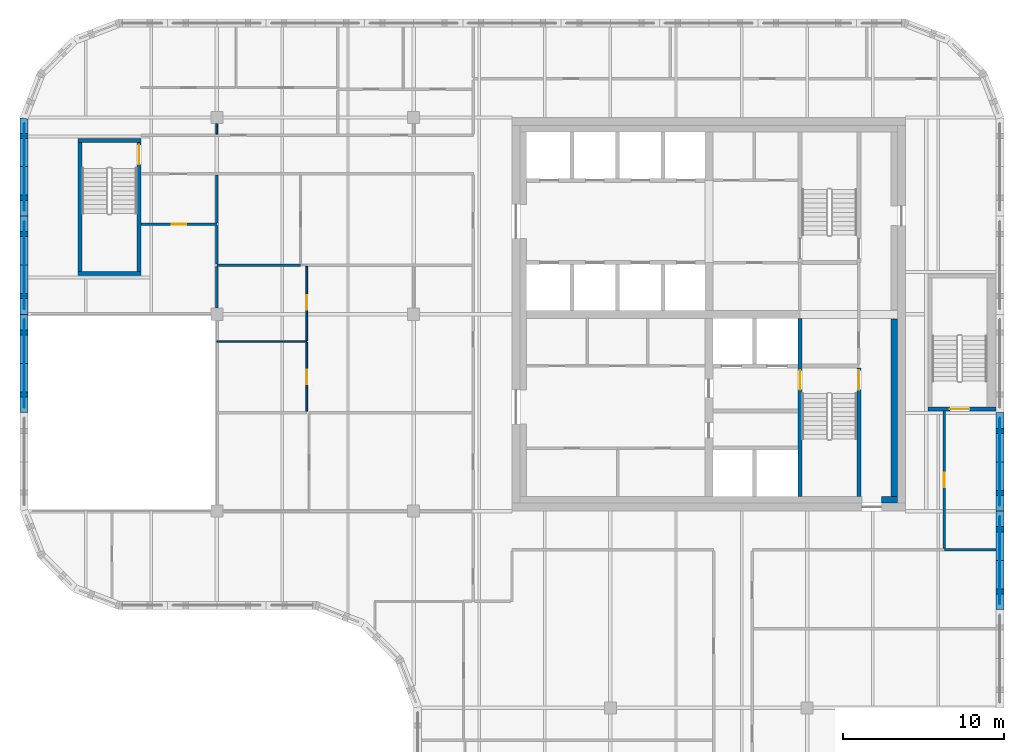
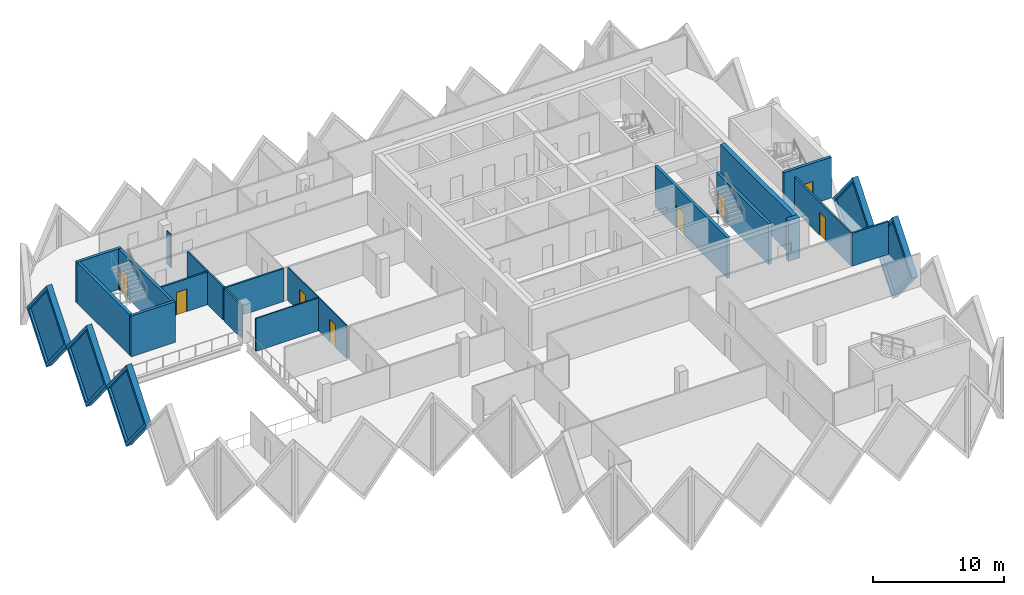
# One storey, part 6 of 12: 25 walls, 8 doors, 5 plates, 13 openings.
"""IFC4 building model written with IfcOpenShell, lengths in metres."""

from ifc_helpers import new_model, si_unit, direction, frame, frame_2d, origin, place, context, subcontext, project, spatial, polyline, rectangle, outline, extrude, faceted_brep, source, transform, mapped, material, layer, layer_set, type_object, element, fill, save


model = new_model("IFC4")

# Units and contexts
model_context = context("Model", 3, precision=1e-05, world=origin(), true_north=direction((0.0, 1.0)))
body_context = subcontext(model_context, "Body", "Model", "MODEL_VIEW")
ifc_project = project(units=[si_unit("LENGTHUNIT", "METRE"), si_unit("AREAUNIT", "SQUARE_METRE"), si_unit("VOLUMEUNIT", "CUBIC_METRE"), si_unit("PLANEANGLEUNIT", "RADIAN"), si_unit("MASSUNIT", "GRAM", prefix="KILO")], contexts=[model_context])

# Site, building, storey
site_placement = place(None, origin())
site = spatial("IfcSite", under=ifc_project, at=site_placement, CompositionType="ELEMENT")
building_placement = place(site_placement, origin())
building = spatial("IfcBuilding", under=site, at=building_placement, Name="Tessera Gate Towers", CompositionType="ELEMENT")
storey_placement = place(building_placement, frame((0.0, 0.0, 220.699951171875)))
storey = spatial("IfcBuildingStorey", under=building, at=storey_placement, Name="L55", CompositionType="ELEMENT", Elevation=220.699951171875)

# Wall, opening, door
ifc_material_1 = material(Name="Concrete C40/50", Category="concrete")
ifc_layer_1 = layer(ifc_material_1, 0.25)
ifc_layer_set_1 = layer_set([ifc_layer_1], Name="CORE ENCLOSURE WALL 250")
wall_type_1 = type_object("IfcWallType", Name="CORE ENCLOSURE WALL 250", PredefinedType="SOLIDWALL", material=ifc_layer_set_1)
wall_1_placement = place(storey_placement, frame((48.35009765625, 36.35009765625, 0.0), z_axis=(0.0, 0.0, 1.0), x_axis=(0.0, -1.0, 0.0)))
wall_1 = element("IfcWall", 1, at=wall_1_placement, inside=storey, type_object=wall_type_1, Name="L55 shaft and stair enclosure wall", PredefinedType="SOLIDWALL", context=body_context, shape_type="SweptSolid", body=[
    extrude(rectangle(XDim=11.050048828125, YDim=0.25, at=frame_2d((5.52490234375, 0.0))), origin(), (0.0, 0.0, 1.0), 3.800048828125),
])
shared_shape_1 = source(origin(), body_context, "Body", "SweptSolid", [
    extrude(rectangle(XDim=1.199951171875, YDim=2.10009765625, at=frame_2d((0.60009765625, 1.050048828125))), frame((0.0, 0.135009765625, 0.0), z_axis=(0.0, -1.0, 0.0), x_axis=(1.0, 0.0, 0.0)), (0.0, 0.0, 1.0), 0.27001953125),
])
opening_1_placement = place(wall_1_placement, frame((3.22509765625, 0.0, 0.0)))
opening_1 = element("IfcOpeningElement", 2, at=opening_1_placement, cuts=wall_1, Name="Opening SD-ST1-1", PredefinedType="OPENING", context=body_context, shape_type="MappedRepresentation", body=[
    mapped(shared_shape_1, transform((0.0, 0.0, 0.0), scale=1.0)),
])
ifc_material_2 = material(Name="Hollow steel fire door", Category="steel")
door_type_1 = type_object("IfcDoorType", Name="CORE DOOR SD 1200x2100", OperationType="NOTDEFINED", PredefinedType="DOOR", material=ifc_material_2)
shared_shape_2 = source(origin(), body_context, "Body", "SweptSolid", [
    extrude(rectangle(XDim=1.199951171875, YDim=2.10009765625, at=frame_2d((0.60009765625, 1.050048828125))), frame((0.0, 0.02490234375, 0.0), z_axis=(0.0, -1.0, 0.0), x_axis=(1.0, 0.0, 0.0)), (0.0, 0.0, 1.0), 0.050048828125),
])
door_1_placement = place(opening_1_placement, origin())
door_1 = element("IfcDoor", 3, at=door_1_placement, inside=storey, type_object=door_type_1, Name="Stair door", OperationType="SINGLE_SWING_LEFT", OverallHeight=2.10009765625, OverallWidth=1.199951171875, PredefinedType="DOOR", context=body_context, shape_type="MappedRepresentation", body=[
    mapped(shared_shape_2, transform((0.0, 0.0, 0.0), scale=1.0)),
])
fill(opening_1, door_1)

wall_2_placement = place(storey_placement, frame((52.0, 25.300048828125, 0.0), z_axis=(0.0, 0.0, 1.0), x_axis=(0.0, 1.0, 0.0)))
wall_2 = element("IfcWall", 4, at=wall_2_placement, inside=storey, type_object=wall_type_1, Name="L55 shaft and stair enclosure wall", PredefinedType="SOLIDWALL", context=body_context, shape_type="SweptSolid", body=[
    extrude(rectangle(XDim=7.974853515625, YDim=0.25, at=frame_2d((3.9873046875, 0.0))), origin(), (0.0, 0.0, 1.0), 3.800048828125),
])
opening_2_placement = place(wall_2_placement, frame((6.625, 0.0, 0.0)))
opening_2 = element("IfcOpeningElement", 5, at=opening_2_placement, cuts=wall_2, Name="Opening SD-ST1-2", PredefinedType="OPENING", context=body_context, shape_type="MappedRepresentation", body=[
    mapped(shared_shape_1, transform((0.0, 0.0, 0.0), scale=1.0)),
])
door_2_placement = place(opening_2_placement, origin())
door_2 = element("IfcDoor", 6, at=door_2_placement, inside=storey, type_object=door_type_1, Name="Stair door", OperationType="SINGLE_SWING_RIGHT", OverallHeight=2.10009765625, OverallWidth=1.199951171875, PredefinedType="DOOR", context=body_context, shape_type="MappedRepresentation", body=[
    mapped(shared_shape_2, transform((0.0, 0.0, 0.0), scale=1.0)),
])
fill(opening_2, door_2)

# Walls
wall_3_placement = place(storey_placement, frame((7.5, 39.125, 0.0), z_axis=(0.0, 0.0, 1.0), x_axis=(-1.0, 0.0, 0.0)))
element("IfcWall", 7, at=wall_3_placement, inside=storey, type_object=wall_type_1, Name="L55 ST3 enclosure wall", PredefinedType="SOLIDWALL", context=body_context, shape_type="SweptSolid", body=[
    extrude(rectangle(XDim=3.89990234375, YDim=0.25, at=frame_2d((1.949951171875, 0.0))), origin(), (0.0, 0.0, 1.0), 3.800048828125),
])
wall_4_placement = place(storey_placement, frame((3.72509765625, 39.25, 0.0), z_axis=(0.0, 0.0, 1.0), x_axis=(0.0, 1.0, 0.0)))
element("IfcWall", 8, at=wall_4_placement, inside=storey, type_object=wall_type_1, Name="L55 ST3 enclosure wall", PredefinedType="SOLIDWALL", context=body_context, shape_type="SweptSolid", body=[
    extrude(rectangle(XDim=8.0, YDim=0.25, at=frame_2d((4.0, 0.0))), origin(), (0.0, 0.0, 1.0), 3.800048828125),
])
wall_5_placement = place(storey_placement, frame((3.60009765625, 47.375, 0.0), z_axis=(0.0, 0.0, 1.0), x_axis=(1.0, 0.0, 0.0)))
element("IfcWall", 9, at=wall_5_placement, inside=storey, type_object=wall_type_1, Name="L55 ST3 enclosure wall", PredefinedType="SOLIDWALL", context=body_context, shape_type="SweptSolid", body=[
    extrude(rectangle(XDim=3.89990234375, YDim=0.25, at=frame_2d((1.949951171875, 0.0))), origin(), (0.0, 0.0, 1.0), 3.800048828125),
])

# Wall, opening, door
wall_6_placement = place(storey_placement, frame((7.375, 47.25, 0.0), z_axis=(0.0, 0.0, 1.0), x_axis=(0.0, -1.0, 0.0)))
wall_6 = element("IfcWall", 10, at=wall_6_placement, inside=storey, type_object=wall_type_1, Name="L55 ST3 enclosure wall", PredefinedType="SOLIDWALL", context=body_context, shape_type="SweptSolid", body=[
    extrude(rectangle(XDim=8.0, YDim=0.25, at=frame_2d((4.0, 0.0))), origin(), (0.0, 0.0, 1.0), 3.800048828125),
])
opening_3_placement = place(wall_6_placement, frame((0.14990234375, 0.0, 0.0)))
opening_3 = element("IfcOpeningElement", 11, at=opening_3_placement, cuts=wall_6, Name="Opening SD-ST3-1", PredefinedType="OPENING", context=body_context, shape_type="MappedRepresentation", body=[
    mapped(shared_shape_1, transform((0.0, 0.0, 0.0), scale=1.0)),
])
door_3_placement = place(opening_3_placement, origin())
door_3 = element("IfcDoor", 12, at=door_3_placement, inside=storey, type_object=door_type_1, Name="Stair door", OperationType="SINGLE_SWING_LEFT", OverallHeight=2.10009765625, OverallWidth=1.199951171875, PredefinedType="DOOR", context=body_context, shape_type="MappedRepresentation", body=[
    mapped(shared_shape_2, transform((0.0, 0.0, 0.0), scale=1.0)),
])
fill(opening_3, door_3)

wall_7_placement = place(storey_placement, frame((60.5, 30.72509765625, 0.0), z_axis=(0.0, 0.0, 1.0), x_axis=(-1.0, 0.0, 0.0)))
wall_7 = element("IfcWall", 13, at=wall_7_placement, inside=storey, type_object=wall_type_1, Name="L55 ST5 enclosure wall", PredefinedType="SOLIDWALL", context=body_context, shape_type="SweptSolid", body=[
    extrude(rectangle(XDim=4.199951171875, YDim=0.25, at=frame_2d((2.10009765625, 0.0))), origin(), (0.0, 0.0, 1.0), 3.800048828125),
])
opening_4_placement = place(wall_7_placement, frame((1.64990234375, 0.0, 0.0)))
opening_4 = element("IfcOpeningElement", 14, at=opening_4_placement, cuts=wall_7, Name="Opening SD-ST5-1", PredefinedType="OPENING", context=body_context, shape_type="MappedRepresentation", body=[
    mapped(shared_shape_1, transform((0.0, 0.0, 0.0), scale=1.0)),
])
door_4_placement = place(opening_4_placement, origin())
door_4 = element("IfcDoor", 15, at=door_4_placement, inside=storey, type_object=door_type_1, Name="Stair door", OperationType="SINGLE_SWING_RIGHT", OverallHeight=2.10009765625, OverallWidth=1.199951171875, PredefinedType="DOOR", context=body_context, shape_type="MappedRepresentation", body=[
    mapped(shared_shape_2, transform((0.0, 0.0, 0.0), scale=1.0)),
])
fill(opening_4, door_4)

# Walls
ifc_material_3 = material(Name="Concrete C50/60", Category="concrete")
ifc_layer_2 = layer(ifc_material_3, 0.39990234375)
ifc_layer_set_2 = layer_set([ifc_layer_2], Name="CORE WALL THICKENING 400")
wall_type_2 = type_object("IfcWallType", Name="CORE WALL THICKENING 400", PredefinedType="SOLIDWALL", material=ifc_layer_set_2)
wall_8_placement = place(storey_placement, frame((53.39990234375, 25.10009765625, 0.0), z_axis=(0.0, 0.0, 1.0), x_axis=(1.0, 0.0, 0.0)))
element("IfcWall", 16, at=wall_8_placement, inside=storey, type_object=wall_type_2, Name="Core wall thickening S L55", PredefinedType="SOLIDWALL", context=body_context, shape_type="SweptSolid", body=[
    extrude(rectangle(XDim=1.0, YDim=0.39990234375, at=frame_2d((0.5, 0.0))), origin(), (0.0, 0.0, 1.0), 3.800048828125),
])
wall_9_placement = place(storey_placement, frame((54.199951171875, 25.300048828125, 0.0), z_axis=(0.0, 0.0, 1.0), x_axis=(0.0, 1.0, 0.0)))
element("IfcWall", 17, at=wall_9_placement, inside=storey, type_object=wall_type_2, Name="Core wall thickening E L55", PredefinedType="SOLIDWALL", context=body_context, shape_type="SweptSolid", body=[
    extrude(rectangle(XDim=11.02001953125, YDim=0.39990234375, at=frame_2d((5.510009765625, 0.0))), origin(), (0.0, 0.0, 1.0), 3.800048828125),
])

# Wall, opening, door
ifc_material_4 = material(Name="Gypsum board on steel studs, mineral wool", Category="steel")
ifc_layer_3 = layer(ifc_material_4, 0.14990234375)
ifc_layer_set_3 = layer_set([ifc_layer_3], Name="CORRIDOR WALL 150")
wall_type_3 = type_object("IfcWallType", Name="CORRIDOR WALL 150", PredefinedType="PARTITIONING", material=ifc_layer_set_3)
wall_10_placement = place(storey_placement, frame((57.300048828125, 30.60009765625, 0.0), z_axis=(0.0, 0.0, 1.0), x_axis=(0.0, -1.0, 0.0)))
wall_10 = element("IfcWall", 18, at=wall_10_placement, inside=storey, type_object=wall_type_3, Name="T1-L55-PW-021", PredefinedType="PARTITIONING", context=body_context, shape_type="SweptSolid", body=[
    extrude(rectangle(XDim=8.524169921875, YDim=0.14990234375, at=frame_2d((4.26220703125, 0.0))), origin(), (0.0, 0.0, 1.0), 3.067138671875),
])
shared_shape_3 = source(origin(), body_context, "Body", "SweptSolid", [
    extrude(rectangle(XDim=0.89990234375, YDim=2.10009765625, at=frame_2d((0.449951171875, 1.050048828125))), frame((0.0, 0.0849609375, 0.0), z_axis=(0.0, -1.0, 0.0), x_axis=(1.0, 0.0, 0.0)), (0.0, 0.0, 1.0), 0.169921875),
])
opening_5_placement = place(wall_10_placement, frame((3.823974609375, 0.0, 0.0)))
opening_5 = element("IfcOpeningElement", 19, at=opening_5_placement, cuts=wall_10, Name="Opening D890FD60-A20-06", PredefinedType="OPENING", context=body_context, shape_type="MappedRepresentation", body=[
    mapped(shared_shape_3, transform((0.0, 0.0, 0.0), scale=1.0)),
])
ifc_material_5 = material(Name="Timber door leaf in steel frame", Category="steel")
door_type_2 = type_object("IfcDoorType", Name="CORRIDOR DOOR 900 FD60", OperationType="NOTDEFINED", PredefinedType="DOOR", material=ifc_material_5)
shared_shape_4 = source(origin(), body_context, "Body", "SweptSolid", [
    extrude(rectangle(XDim=0.89990234375, YDim=2.10009765625, at=frame_2d((0.449951171875, 1.050048828125))), frame((0.0, 0.02490234375, 0.0), z_axis=(0.0, -1.0, 0.0), x_axis=(1.0, 0.0, 0.0)), (0.0, 0.0, 1.0), 0.050048828125),
])
door_5_placement = place(opening_5_placement, origin())
door_5 = element("IfcDoor", 20, at=door_5_placement, inside=storey, type_object=door_type_2, Name="T1-L55-PD-021", OperationType="SINGLE_SWING_RIGHT", OverallHeight=2.10009765625, OverallWidth=0.89990234375, PredefinedType="DOOR", context=body_context, shape_type="MappedRepresentation", body=[
    mapped(shared_shape_4, transform((0.0, 0.0, 0.0), scale=1.0)),
])
fill(opening_5, door_5)

ifc_material_6 = material(Name="Glass", Category="glass")
ifc_layer_4 = layer(ifc_material_6, 0.10009765625)
ifc_layer_set_4 = layer_set([ifc_layer_4], Name="GLAZED PARTITION 100")
wall_type_4 = type_object("IfcWallType", Name="GLAZED PARTITION 100", PredefinedType="PARTITIONING", material=ifc_layer_set_4)
wall_11_placement = place(storey_placement, frame((17.77490234375, 30.575927734375, 0.0), z_axis=(0.0, 0.0, 1.0), x_axis=(0.0, 1.0, 0.0)))
wall_11 = element("IfcWall", 21, at=wall_11_placement, inside=storey, type_object=wall_type_4, Name="T1-L55-PW-028", PredefinedType="PARTITIONING", context=body_context, shape_type="SweptSolid", body=[
    extrude(rectangle(XDim=4.29345703125, YDim=0.10009765625, at=frame_2d((2.146728515625, 0.0))), origin(), (0.0, 0.0, 1.0), 3.067138671875),
])
shared_shape_5 = source(origin(), body_context, "Body", "SweptSolid", [
    extrude(rectangle(XDim=0.89990234375, YDim=2.10009765625, at=frame_2d((0.449951171875, 1.050048828125))), frame((0.0, 0.06005859375, 0.0), z_axis=(0.0, -1.0, 0.0), x_axis=(1.0, 0.0, 0.0)), (0.0, 0.0, 1.0), 0.1201171875),
])
opening_6_placement = place(wall_11_placement, frame((1.699951171875, 0.0, 0.0)))
opening_6 = element("IfcOpeningElement", 22, at=opening_6_placement, cuts=wall_11, Name="Opening D690-A20-01", PredefinedType="OPENING", context=body_context, shape_type="MappedRepresentation", body=[
    mapped(shared_shape_5, transform((0.0, 0.0, 0.0), scale=1.0)),
])
ifc_material_7 = material(Name="Glass in aluminium frame", Category="aluminium")
door_type_3 = type_object("IfcDoorType", Name="GLAZED DOOR 900 NOT RATED", OperationType="NOTDEFINED", PredefinedType="DOOR", material=ifc_material_7)
door_6_placement = place(opening_6_placement, origin())
door_6 = element("IfcDoor", 23, at=door_6_placement, inside=storey, type_object=door_type_3, Name="T1-L55-PD-004", OperationType="SINGLE_SWING_LEFT", OverallHeight=2.10009765625, OverallWidth=0.89990234375, PredefinedType="DOOR", context=body_context, shape_type="MappedRepresentation", body=[
    mapped(shared_shape_4, transform((0.0, 0.0, 0.0), scale=1.0)),
])
fill(opening_6, door_6)

wall_12_placement = place(storey_placement, frame((17.77490234375, 34.97119140625, 0.0), z_axis=(0.0, 0.0, 1.0), x_axis=(0.0, 1.0, 0.0)))
wall_12 = element("IfcWall", 24, at=wall_12_placement, inside=storey, type_object=wall_type_4, Name="T1-L55-PW-030", PredefinedType="PARTITIONING", context=body_context, shape_type="SweptSolid", body=[
    extrude(rectangle(XDim=4.602783203125, YDim=0.10009765625, at=frame_2d((2.30126953125, 0.0))), origin(), (0.0, 0.0, 1.0), 3.067138671875),
])
opening_7_placement = place(wall_12_placement, frame((1.89990234375, 0.0, 0.0)))
opening_7 = element("IfcOpeningElement", 25, at=opening_7_placement, cuts=wall_12, Name="Opening D690-A20-02", PredefinedType="OPENING", context=body_context, shape_type="MappedRepresentation", body=[
    mapped(shared_shape_5, transform((0.0, 0.0, 0.0), scale=1.0)),
])
door_7_placement = place(opening_7_placement, origin())
door_7 = element("IfcDoor", 26, at=door_7_placement, inside=storey, type_object=door_type_3, Name="T1-L55-PD-005", OperationType="SINGLE_SWING_LEFT", OverallHeight=2.10009765625, OverallWidth=0.89990234375, PredefinedType="DOOR", context=body_context, shape_type="MappedRepresentation", body=[
    mapped(shared_shape_4, transform((0.0, 0.0, 0.0), scale=1.0)),
])
fill(opening_7, door_7)

# Walls
ifc_material_8 = material(Name="Gypsum board on steel studs", Category="steel")
ifc_layer_5 = layer(ifc_material_8, 0.10009765625)
ifc_layer_set_5 = layer_set([ifc_layer_5], Name="PARTITION 100")
wall_type_5 = type_object("IfcWallType", Name="PARTITION 100", PredefinedType="PARTITIONING", material=ifc_layer_set_5)
wall_13_placement = place(storey_placement, frame((12.199951171875, 34.919921875, 0.0), z_axis=(0.0, 0.0, 1.0), x_axis=(1.0, 0.0, 0.0)))
element("IfcWall", 27, at=wall_13_placement, inside=storey, type_object=wall_type_5, Name="T1-L55-PW-029", PredefinedType="PARTITIONING", context=body_context, shape_type="SweptSolid", body=[
    extrude(rectangle(XDim=5.574951171875, YDim=0.10009765625, at=frame_2d((2.78759765625, 0.0))), origin(), (0.0, 0.0, 1.0), 3.067138671875),
])
wall_14_placement = place(storey_placement, frame((12.199951171875, 48.425048828125, 0.0), z_axis=(0.0, 0.0, 1.0), x_axis=(0.0, -1.0, 0.0)))
element("IfcWall", 28, at=wall_14_placement, inside=storey, type_object=wall_type_5, Name="T1-L55-PW-044", PredefinedType="PARTITIONING", context=body_context, shape_type="SweptSolid", body=[
    extrude(rectangle(XDim=0.650146484375, YDim=0.10009765625, at=frame_2d((0.3251953125, 0.0))), origin(), (0.0, 0.0, 1.0), 3.067138671875),
])
ifc_material_9 = material(Name="Gypsum board on steel studs, mineral wool", Category="steel")
ifc_layer_6 = layer(ifc_material_9, 0.14990234375)
ifc_layer_set_6 = layer_set([ifc_layer_6], Name="TENANCY WALL 150")
wall_type_6 = type_object("IfcWallType", Name="TENANCY WALL 150", PredefinedType="PARTITIONING", material=ifc_layer_set_6)
wall_15_placement = place(storey_placement, frame((57.301025390625, 22.0, 0.0), z_axis=(0.0, 0.0, 1.0), x_axis=(1.0, 0.0, 0.0)))
element("IfcWall", 29, at=wall_15_placement, inside=storey, type_object=wall_type_6, Name="T1-L55-PW-020", PredefinedType="PARTITIONING", context=body_context, shape_type="SweptSolid", body=[
    extrude(rectangle(XDim=3.198974609375, YDim=0.14990234375, at=frame_2d((1.599609375, 0.0))), origin(), (0.0, 0.0, 1.0), 3.067138671875),
])
wall_16_placement = place(storey_placement, frame((12.199951171875, 36.97607421875, 0.0), z_axis=(0.0, 0.0, 1.0), x_axis=(0.0, 1.0, 0.0)))
element("IfcWall", 30, at=wall_16_placement, inside=storey, type_object=wall_type_6, Name="T1-L55-PW-031", PredefinedType="PARTITIONING", context=body_context, shape_type="SweptSolid", body=[
    extrude(rectangle(XDim=2.597900390625, YDim=0.14990234375, at=frame_2d((1.298828125, 0.0))), origin(), (0.0, 0.0, 1.0), 3.067138671875),
])
wall_17_placement = place(storey_placement, frame((12.199951171875, 39.64990234375, 0.0), z_axis=(0.0, 0.0, 1.0), x_axis=(1.0, 0.0, 0.0)))
element("IfcWall", 31, at=wall_17_placement, inside=storey, type_object=wall_type_6, Name="T1-L55-PW-033", PredefinedType="PARTITIONING", context=body_context, shape_type="SweptSolid", body=[
    extrude(rectangle(XDim=5.199951171875, YDim=0.14990234375, at=frame_2d((2.60009765625, 0.0))), origin(), (0.0, 0.0, 1.0), 3.067138671875),
])
wall_18_placement = place(storey_placement, frame((12.199951171875, 39.72607421875, 0.0), z_axis=(0.0, 0.0, 1.0), x_axis=(0.0, 1.0, 0.0)))
element("IfcWall", 32, at=wall_18_placement, inside=storey, type_object=wall_type_6, Name="T1-L55-PW-036", PredefinedType="PARTITIONING", context=body_context, shape_type="SweptSolid", body=[
    extrude(rectangle(XDim=2.373046875, YDim=0.14990234375, at=frame_2d((1.1865234375, 0.0))), origin(), (0.0, 0.0, 1.0), 3.067138671875),
])

# Wall, opening, door
wall_19_placement = place(storey_placement, frame((12.199951171875, 42.175048828125, 0.0), z_axis=(0.0, 0.0, 1.0), x_axis=(-1.0, 0.0, 0.0)))
wall_19 = element("IfcWall", 33, at=wall_19_placement, inside=storey, type_object=wall_type_6, Name="T1-L55-PW-038", PredefinedType="PARTITIONING", context=body_context, shape_type="SweptSolid", body=[
    extrude(rectangle(XDim=4.699951171875, YDim=0.14990234375, at=frame_2d((2.35009765625, 0.0))), origin(), (0.0, 0.0, 1.0), 3.067138671875),
])
opening_8_placement = place(wall_19_placement, frame((1.89990234375, 0.0, 0.0)))
opening_8 = element("IfcOpeningElement", 34, at=opening_8_placement, cuts=wall_19, Name="Opening D190-A20-03", PredefinedType="OPENING", context=body_context, shape_type="MappedRepresentation", body=[
    mapped(shared_shape_3, transform((0.0, 0.0, 0.0), scale=1.0)),
])
ifc_material_10 = material(Name="Timber door leaf in steel frame", Category="steel")
door_type_4 = type_object("IfcDoorType", Name="INTERNAL DOOR 900 NOT RATED", OperationType="NOTDEFINED", PredefinedType="DOOR", material=ifc_material_10)
door_8_placement = place(opening_8_placement, origin())
door_8 = element("IfcDoor", 35, at=door_8_placement, inside=storey, type_object=door_type_4, Name="T1-L55-PD-007", OperationType="SINGLE_SWING_RIGHT", OverallHeight=2.10009765625, OverallWidth=0.89990234375, PredefinedType="DOOR", context=body_context, shape_type="MappedRepresentation", body=[
    mapped(shared_shape_4, transform((0.0, 0.0, 0.0), scale=1.0)),
])
fill(opening_8, door_8)

# Wall
wall_20_placement = place(storey_placement, frame((12.199951171875, 42.2509765625, 0.0), z_axis=(0.0, 0.0, 1.0), x_axis=(0.0, 1.0, 0.0)))
element("IfcWall", 36, at=wall_20_placement, inside=storey, type_object=wall_type_6, Name="T1-L55-PW-039", PredefinedType="PARTITIONING", context=body_context, shape_type="SweptSolid", body=[
    extrude(rectangle(XDim=2.97314453125, YDim=0.14990234375, at=frame_2d((1.486572265625, 0.0))), origin(), (0.0, 0.0, 1.0), 3.067138671875),
])

# Wall, opening, plate
ifc_material_11 = material(Name="Precast concrete C60/75 white", Category="concrete")
ifc_layer_7 = layer(ifc_material_11, 0.5)
ifc_layer_set_7 = layer_set([ifc_layer_7], Name="TS1 tessera")
wall_type_7 = type_object("IfcWallType", Name="TS1 tessera", PredefinedType="SOLIDWALL", material=ifc_layer_set_7)
shared_shape_6 = source(origin(), body_context, "Body", "Brep", [
    faceted_brep([(3.00341796875, -0.25, 0.0), (6.053466796875, -0.25, 3.800048828125), (3.00341796875, -0.25, 7.60009765625), (0.0, -0.25, 3.800048828125), (0.046630859375, 0.25, 3.85888671875), (3.00341796875, 0.25, 7.60009765625), (6.053466796875, 0.25, 3.800048828125), (3.00341796875, 0.25, 0.0), (0.046630859375, 0.25, 3.7412109375), (0.0, 0.0, 3.800048828125)], [[[0, 1, 2, 3]], [[4, 5, 6, 7, 8]], [[7, 6, 1, 0]], [[6, 5, 2, 1]], [[5, 4, 9, 3, 2]], [[8, 7, 0, 3, 9]], [[8, 9, 4]]]),
])
wall_21_placement = place(storey_placement, frame((0.25, 48.75341796875, -3.800048828125), z_axis=(0.0, 0.0, 1.0), x_axis=(0.0, -1.0, 0.0)))
wall_21 = element("IfcWall", 37, at=wall_21_placement, inside=storey, type_object=wall_type_7, Name="Precast tessera T1 TS1-0983", PredefinedType="SOLIDWALL", context=body_context, shape_type="MappedRepresentation", body=[
    mapped(shared_shape_6, transform((0.0, 0.0, 0.0), scale=1.0)),
])
shared_shape_7 = source(origin(), body_context, "Body", "SweptSolid", [
    extrude(outline(polyline([(3.0048828125, 0.4013671875), (5.73291015625, 3.800048828125), (3.0048828125, 7.19873046875), (0.318603515625, 3.800048828125), (3.0048828125, 0.4013671875)])), frame((0.0, 0.260009765625, 0.0), z_axis=(0.0, -1.0, 0.0), x_axis=(1.0, 0.0, 0.0)), (0.0, 0.0, 1.0), 0.52001953125),
])
opening_9_placement = place(wall_21_placement, origin())
opening_9 = element("IfcOpeningElement", 38, at=opening_9_placement, cuts=wall_21, Name="Opening T1-PL2-2005", PredefinedType="OPENING", context=body_context, shape_type="MappedRepresentation", body=[
    mapped(shared_shape_7, transform((0.0, 0.0, 0.0), scale=1.0)),
])
ifc_material_12 = material(Name="Low-e laminated glass", Category="glass")
ifc_layer_8 = layer(ifc_material_12, 0.06005859375)
ifc_layer_set_8 = layer_set([ifc_layer_8], Name="PL2 rhombic pane")
plate_type = type_object("IfcPlateType", Name="PL2 rhombic pane", PredefinedType="SHEET", material=ifc_layer_set_8)
shared_shape_8 = source(origin(), body_context, "Body", "SweptSolid", [
    extrude(outline(polyline([(3.0048828125, 0.4013671875), (5.73291015625, 3.800048828125), (3.0048828125, 7.19873046875), (0.318603515625, 3.800048828125), (3.0048828125, 0.4013671875)])), frame((0.0, 0.030029296875, 0.0), z_axis=(0.0, -1.0, 0.0), x_axis=(1.0, 0.0, 0.0)), (0.0, 0.0, 1.0), 0.06005859375),
])
plate_1_placement = place(opening_9_placement, origin())
plate_1 = element("IfcPlate", 39, at=plate_1_placement, inside=storey, type_object=plate_type, Name="Glass pane T1 PL2-2005", PredefinedType="SHEET", context=body_context, shape_type="MappedRepresentation", body=[
    mapped(shared_shape_8, transform((0.0, 0.0, 0.0), scale=1.0)),
])
fill(opening_9, plate_1)

shared_shape_9 = source(origin(), body_context, "Body", "Brep", [
    faceted_brep([(3.050048828125, -0.25, 0.0), (6.099853515625, -0.25, 3.7998046875), (6.099853515625, -0.25, 3.80029296875), (3.050048828125, -0.25, 7.60009765625), (0.0, -0.25, 3.800048828125), (0.0, 0.25, 3.800048828125), (3.050048828125, 0.25, 7.60009765625), (6.099853515625, 0.25, 3.80029296875), (6.099853515625, 0.25, 3.7998046875), (3.050048828125, 0.25, 0.0)], [[[0, 1, 2, 3, 4]], [[5, 6, 7, 8, 9]], [[9, 8, 1, 0]], [[7, 6, 3, 2]], [[6, 5, 4, 3]], [[5, 9, 0, 4]], [[1, 8, 7, 2]]]),
])
wall_22_placement = place(storey_placement, frame((60.75, 18.300048828125, -3.800048828125), z_axis=(0.0, 0.0, 1.0), x_axis=(0.0, 1.0, 0.0)))
wall_22 = element("IfcWall", 40, at=wall_22_placement, inside=storey, type_object=wall_type_7, Name="Precast tessera T1 TS1-0971", PredefinedType="SOLIDWALL", context=body_context, shape_type="MappedRepresentation", body=[
    mapped(shared_shape_9, transform((0.0, 0.0, 0.0), scale=1.0)),
])
shared_shape_10 = source(origin(), body_context, "Body", "SweptSolid", [
    extrude(outline(polyline([(3.050048828125, 0.3994140625), (5.779541015625, 3.800048828125), (3.050048828125, 7.20068359375), (0.320556640625, 3.800048828125), (3.050048828125, 0.3994140625)])), frame((0.0, 0.260009765625, 0.0), z_axis=(0.0, -1.0, 0.0), x_axis=(1.0, 0.0, 0.0)), (0.0, 0.0, 1.0), 0.52001953125),
])
opening_10_placement = place(wall_22_placement, origin())
opening_10 = element("IfcOpeningElement", 41, at=opening_10_placement, cuts=wall_22, Name="Opening T1-PL2-1985", PredefinedType="OPENING", context=body_context, shape_type="MappedRepresentation", body=[
    mapped(shared_shape_10, transform((0.0, 0.0, 0.0), scale=1.0)),
])
shared_shape_11 = source(origin(), body_context, "Body", "SweptSolid", [
    extrude(outline(polyline([(3.050048828125, 0.3994140625), (5.779541015625, 3.800048828125), (3.050048828125, 7.20068359375), (0.320556640625, 3.800048828125), (3.050048828125, 0.3994140625)])), frame((0.0, 0.030029296875, 0.0), z_axis=(0.0, -1.0, 0.0), x_axis=(1.0, 0.0, 0.0)), (0.0, 0.0, 1.0), 0.06005859375),
])
plate_2_placement = place(opening_10_placement, origin())
plate_2 = element("IfcPlate", 42, at=plate_2_placement, inside=storey, type_object=plate_type, Name="Glass pane T1 PL2-1985", PredefinedType="SHEET", context=body_context, shape_type="MappedRepresentation", body=[
    mapped(shared_shape_11, transform((0.0, 0.0, 0.0), scale=1.0)),
])
fill(opening_10, plate_2)

wall_23_placement = place(storey_placement, frame((0.25, 42.699951171875, -3.800048828125), z_axis=(0.0, 0.0, 1.0), x_axis=(0.0, -1.0, 0.0)))
wall_23 = element("IfcWall", 43, at=wall_23_placement, inside=storey, type_object=wall_type_7, Name="Precast tessera T1 TS1-0984", PredefinedType="SOLIDWALL", context=body_context, shape_type="MappedRepresentation", body=[
    mapped(shared_shape_9, transform((0.0, 0.0, 0.0), scale=1.0)),
])
opening_11_placement = place(wall_23_placement, origin())
opening_11 = element("IfcOpeningElement", 44, at=opening_11_placement, cuts=wall_23, Name="Opening T1-PL2-2006", PredefinedType="OPENING", context=body_context, shape_type="MappedRepresentation", body=[
    mapped(shared_shape_10, transform((0.0, 0.0, 0.0), scale=1.0)),
])
plate_3_placement = place(opening_11_placement, origin())
plate_3 = element("IfcPlate", 45, at=plate_3_placement, inside=storey, type_object=plate_type, Name="Glass pane T1 PL2-2006", PredefinedType="SHEET", context=body_context, shape_type="MappedRepresentation", body=[
    mapped(shared_shape_11, transform((0.0, 0.0, 0.0), scale=1.0)),
])
fill(opening_11, plate_3)

shared_shape_12 = source(origin(), body_context, "Body", "SweptSolid", [
    extrude(outline(polyline([(3.050048828125, 0.0), (6.10009765625, 3.800048828125), (3.050048828125, 7.60009765625), (0.0, 3.800048828125), (3.050048828125, 0.0)])), frame((0.0, 0.25, 0.0), z_axis=(0.0, -1.0, 0.0), x_axis=(1.0, 0.0, 0.0)), (0.0, 0.0, 1.0), 0.5),
])
wall_24_placement = place(storey_placement, frame((60.75, 24.39990234375, -3.800048828125), z_axis=(0.0, 0.0, 1.0), x_axis=(0.0, 1.0, 0.0)))
wall_24 = element("IfcWall", 46, at=wall_24_placement, inside=storey, type_object=wall_type_7, Name="Precast tessera T1 TS1-0972", PredefinedType="SOLIDWALL", context=body_context, shape_type="MappedRepresentation", body=[
    mapped(shared_shape_12, transform((0.0, 0.0, 0.0), scale=1.0)),
])
opening_12_placement = place(wall_24_placement, origin())
opening_12 = element("IfcOpeningElement", 47, at=opening_12_placement, cuts=wall_24, Name="Opening T1-PL2-1986", PredefinedType="OPENING", context=body_context, shape_type="MappedRepresentation", body=[
    mapped(shared_shape_10, transform((0.0, 0.0, 0.0), scale=1.0)),
])
plate_4_placement = place(opening_12_placement, origin())
plate_4 = element("IfcPlate", 48, at=plate_4_placement, inside=storey, type_object=plate_type, Name="Glass pane T1 PL2-1986", PredefinedType="SHEET", context=body_context, shape_type="MappedRepresentation", body=[
    mapped(shared_shape_11, transform((0.0, 0.0, 0.0), scale=1.0)),
])
fill(opening_12, plate_4)

wall_25_placement = place(storey_placement, frame((0.25, 36.60009765625, -3.800048828125), z_axis=(0.0, 0.0, 1.0), x_axis=(0.0, -1.0, 0.0)))
wall_25 = element("IfcWall", 49, at=wall_25_placement, inside=storey, type_object=wall_type_7, Name="Precast tessera T1 TS1-0985", PredefinedType="SOLIDWALL", context=body_context, shape_type="MappedRepresentation", body=[
    mapped(shared_shape_12, transform((0.0, 0.0, 0.0), scale=1.0)),
])
opening_13_placement = place(wall_25_placement, origin())
opening_13 = element("IfcOpeningElement", 50, at=opening_13_placement, cuts=wall_25, Name="Opening T1-PL2-2007", PredefinedType="OPENING", context=body_context, shape_type="MappedRepresentation", body=[
    mapped(shared_shape_10, transform((0.0, 0.0, 0.0), scale=1.0)),
])
plate_5_placement = place(opening_13_placement, origin())
plate_5 = element("IfcPlate", 51, at=plate_5_placement, inside=storey, type_object=plate_type, Name="Glass pane T1 PL2-2007", PredefinedType="SHEET", context=body_context, shape_type="MappedRepresentation", body=[
    mapped(shared_shape_11, transform((0.0, 0.0, 0.0), scale=1.0)),
])
fill(opening_13, plate_5)

save(model, "model.ifc")
